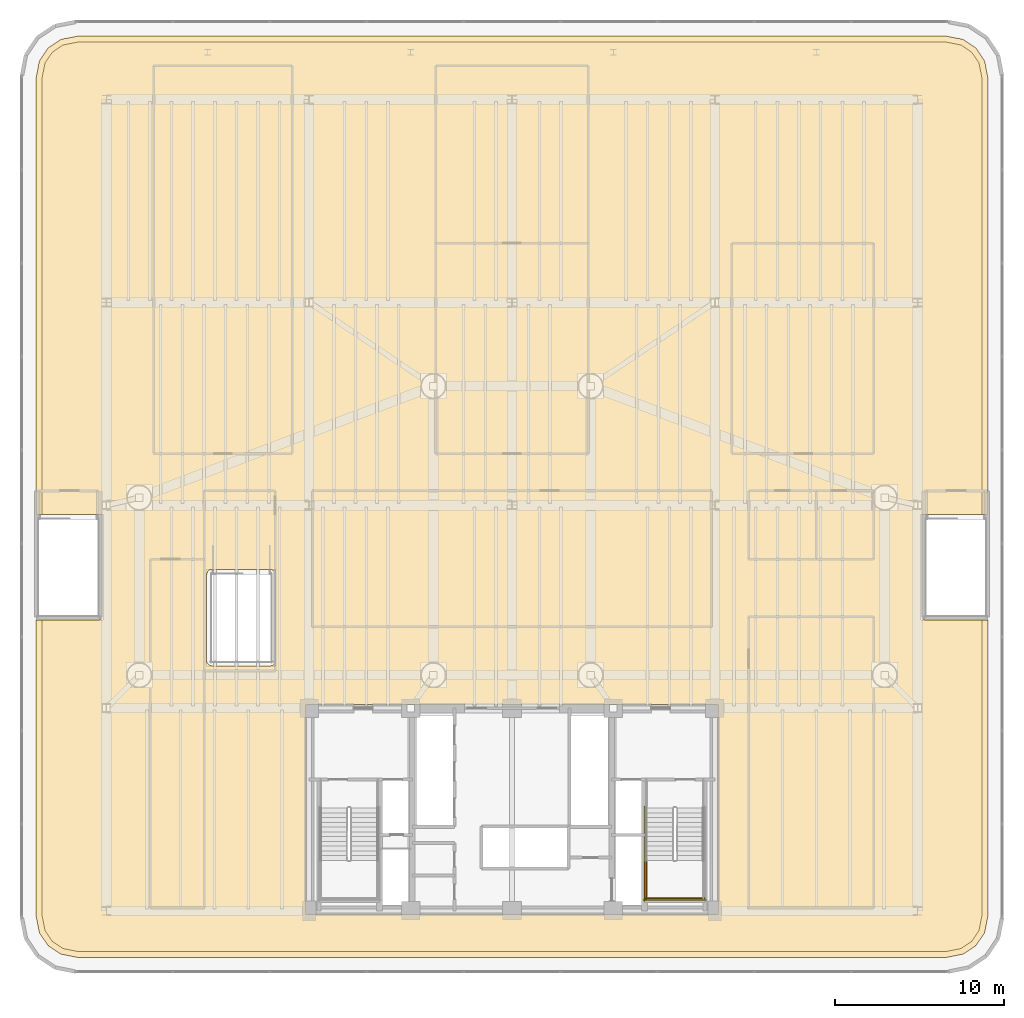
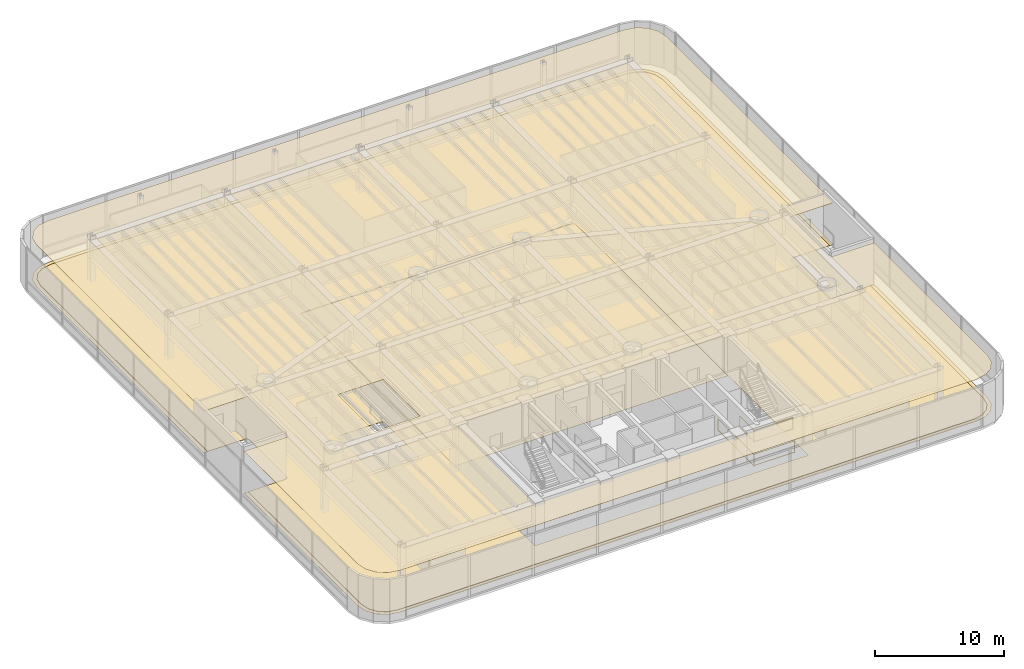
# One storey, part 17 of 18: 4 railings, 3 coverings.
"""IFC4 building model written with IfcOpenShell, lengths in metres."""

from ifc_helpers import new_model, si_unit, direction, frame, origin, origin_2d, place, context, subcontext, project, spatial, polyline, rectangle, outline, extrude, material, layer, layer_set, type_object, element, save


model = new_model("IFC4")

# Units and contexts
model_context = context("Model", 3, precision=1e-05, world=origin(), true_north=direction((0.0, 1.0)))
body_context = subcontext(model_context, "Body", "Model", "MODEL_VIEW")
ifc_project = project(units=[si_unit("LENGTHUNIT", "METRE"), si_unit("AREAUNIT", "SQUARE_METRE"), si_unit("VOLUMEUNIT", "CUBIC_METRE"), si_unit("PLANEANGLEUNIT", "RADIAN"), si_unit("MASSUNIT", "GRAM", prefix="KILO")], contexts=[model_context])

# Site, building, storey
site_placement = place(None, origin())
site = spatial("IfcSite", under=ifc_project, at=site_placement, CompositionType="ELEMENT")
building_placement = place(site_placement, origin())
building = spatial("IfcBuilding", under=site, at=building_placement, Name="Brelvock Crest Care Tower", CompositionType="ELEMENT")
storey_placement = place(building_placement, frame((0.0, 0.0, 22.679931640625)))
storey = spatial("IfcBuildingStorey", under=building, at=storey_placement, Name="L05", CompositionType="ELEMENT", Elevation=22.679931640625)

# Coverings
ifc_material_1 = material(Name="Mineral Fibre Acoustic Ceiling Tile", Category="gypsum")
ifc_layer_1 = layer(ifc_material_1, 0.02490234375, Name="COV-CLG1")
ifc_layer_set_1 = layer_set([ifc_layer_1], Name="Mineral Fibre Acoustic Ceiling Tile")
covering_type_1 = type_object("IfcCoveringType", Name="COV-CLG1", PredefinedType="CEILING", material=ifc_layer_set_1)
covering_1_placement = place(storey_placement, frame((0.0, 0.0, 3.945068359375)))
element("IfcCovering", 1, at=covering_1_placement, inside=storey, type_object=covering_type_1, Name="L05 Acoustic Suspended Ceiling 1", PredefinedType="CEILING", context=body_context, shape_type="SweptSolid", body=[
    extrude(outline(polyline([(61.71630859375, 3.25), (62.69287109375, 3.4443359375), (63.449951171875, 3.9501953125), (63.955810546875, 4.70703125), (64.14990234375, 5.68359375), (64.14990234375, 23.199951171875), (60.2099609375, 23.199951171875), (60.2099609375, 29.449951171875), (64.14990234375, 29.449951171875), (64.14990234375, 55.31640625), (63.955810546875, 56.29296875), (63.449951171875, 57.0498046875), (62.69287109375, 57.5556640625), (61.71630859375, 57.75), (10.28369140625, 57.75), (9.30712890625, 57.5556640625), (8.550048828125, 57.0498046875), (8.044189453125, 56.29296875), (7.85009765625, 55.31640625), (7.85009765625, 29.449951171875), (11.7900390625, 29.449951171875), (11.7900390625, 23.199951171875), (7.85009765625, 23.199951171875), (7.85009765625, 5.68359375), (8.044189453125, 4.70703125), (8.550048828125, 3.9501953125), (9.30712890625, 3.4443359375), (10.28369140625, 3.25), (61.71630859375, 3.25)]), holes=[polyline([(22.02001953125, 20.5), (22.02001953125, 26.199951171875), (17.93994140625, 26.199951171875), (17.93994140625, 20.5), (22.02001953125, 20.5)]), polyline([(48.199951171875, 5.800048828125), (48.199951171875, 18.199951171875), (23.800048828125, 18.199951171875), (23.800048828125, 5.800048828125), (48.199951171875, 5.800048828125)])]), origin(), (0.0, 0.0, 1.0), 0.02490234375),
])
ifc_material_2 = material(Name="Slip-Resistant Acoustic Vinyl Flooring", Category="finish")
ifc_layer_2 = layer(ifc_material_2, 0.014892578125, Name="COV-FLR1")
ifc_layer_set_2 = layer_set([ifc_layer_2], Name="Slip-Resistant Acoustic Vinyl Flooring")
covering_type_2 = type_object("IfcCoveringType", Name="COV-FLR1", PredefinedType="FLOORING", material=ifc_layer_set_2)
covering_2_placement = place(storey_placement, origin())
element("IfcCovering", 2, at=covering_2_placement, inside=storey, type_object=covering_type_2, Name="L05 Slip-Resistant Acoustic Flooring 1", PredefinedType="FLOORING", context=body_context, shape_type="SweptSolid", body=[
    extrude(outline(polyline([(61.71630859375, 3.25), (62.69287109375, 3.4443359375), (63.449951171875, 3.9501953125), (63.955810546875, 4.70703125), (64.14990234375, 5.68359375), (64.14990234375, 23.199951171875), (60.2099609375, 23.199951171875), (60.2099609375, 29.449951171875), (64.14990234375, 29.449951171875), (64.14990234375, 55.31640625), (63.955810546875, 56.29296875), (63.449951171875, 57.0498046875), (62.69287109375, 57.5556640625), (61.71630859375, 57.75), (10.28369140625, 57.75), (9.30712890625, 57.5556640625), (8.550048828125, 57.0498046875), (8.044189453125, 56.29296875), (7.85009765625, 55.31640625), (7.85009765625, 29.449951171875), (11.7900390625, 29.449951171875), (11.7900390625, 23.199951171875), (7.85009765625, 23.199951171875), (7.85009765625, 5.68359375), (8.044189453125, 4.70703125), (8.550048828125, 3.9501953125), (9.30712890625, 3.4443359375), (10.28369140625, 3.25), (61.71630859375, 3.25)]), holes=[polyline([(22.02001953125, 20.5), (22.02001953125, 26.199951171875), (17.93994140625, 26.199951171875), (17.93994140625, 20.5), (22.02001953125, 20.5)]), polyline([(48.199951171875, 5.800048828125), (48.199951171875, 18.199951171875), (23.800048828125, 18.199951171875), (23.800048828125, 5.800048828125), (48.199951171875, 5.800048828125)])]), origin(), (0.0, 0.0, 1.0), 0.01513671875),
])
ifc_material_3 = material(Name="Elastomeric Waterproofing Membrane", Category="membrane")
ifc_layer_3 = layer(ifc_material_3, 0.011962890625, Name="COV-RFM1")
ifc_layer_set_3 = layer_set([ifc_layer_3], Name="Elastomeric Waterproofing Membrane")
covering_type_3 = type_object("IfcCoveringType", Name="COV-RFM1", PredefinedType="MEMBRANE", material=ifc_layer_set_3)
covering_3_placement = place(storey_placement, frame((0.0, 0.0, 0.01611328125)))
element("IfcCovering", 3, at=covering_3_placement, inside=storey, type_object=covering_type_3, Name="L05 Waterproofing Membrane 1", PredefinedType="MEMBRANE", context=body_context, shape_type="SweptSolid", body=[
    extrude(outline(polyline([(61.681884765625, 3.60009765625), (62.556396484375, 3.77392578125), (63.197509765625, 4.202392578125), (63.6259765625, 4.843505859375), (63.800048828125, 5.71826171875), (63.800048828125, 23.199951171875), (60.480712890625, 23.201416015625), (60.36865234375, 23.2353515625), (60.278076171875, 23.309814453125), (60.2099609375, 23.5), (60.2099609375, 29.14990234375), (60.260498046875, 29.316650390625), (60.36865234375, 29.41455078125), (60.510009765625, 29.449951171875), (63.800048828125, 29.449951171875), (63.800048828125, 55.28173828125), (63.6259765625, 56.156494140625), (63.197509765625, 56.797607421875), (62.556396484375, 57.22607421875), (61.681884765625, 57.39990234375), (10.318115234375, 57.39990234375), (9.443603515625, 57.22607421875), (8.802490234375, 56.797607421875), (8.3740234375, 56.156494140625), (8.199951171875, 55.28173828125), (8.199951171875, 29.449951171875), (11.519287109375, 29.448486328125), (11.63134765625, 29.41455078125), (11.721923828125, 29.34033203125), (11.7900390625, 29.14990234375), (11.7900390625, 23.5), (11.739501953125, 23.333251953125), (11.63134765625, 23.2353515625), (11.489990234375, 23.199951171875), (8.199951171875, 23.199951171875), (8.199951171875, 5.71826171875), (8.3740234375, 4.843505859375), (8.802490234375, 4.202392578125), (9.443603515625, 3.77392578125), (10.318115234375, 3.60009765625), (61.681884765625, 3.60009765625)]), holes=[polyline([(21.778564453125, 26.194091796875), (18.239990234375, 26.199951171875), (18.0986328125, 26.16455078125), (17.990478515625, 26.066650390625), (17.93994140625, 25.89990234375), (17.93994140625, 20.800048828125), (17.975341796875, 20.65869140625), (18.0732421875, 20.550537109375), (18.239990234375, 20.5), (21.719970703125, 20.5), (21.861328125, 20.535400390625), (21.969482421875, 20.63330078125), (22.02001953125, 20.800048828125), (22.02001953125, 25.89990234375), (21.951904296875, 26.09033203125), (21.778564453125, 26.194091796875)]), polyline([(48.199951171875, 5.800048828125), (48.199951171875, 42.0), (23.800048828125, 42.0), (23.800048828125, 5.800048828125), (48.199951171875, 5.800048828125)])]), origin(), (0.0, 0.0, 1.0), 0.011962890625),
])

# Railings
ifc_material_4 = material(Name="Steel Grade 350", Category="steel")
ifc_layer_4 = layer(ifc_material_4, 0.050048828125, Name="RL-STG1")
ifc_layer_set_4 = layer_set([ifc_layer_4], Name="Steel Grade 350")
railing_type = type_object("IfcRailingType", Name="RL-STG1", PredefinedType="GUARDRAIL", material=ifc_layer_set_4)
railing_1_placement = place(storey_placement, frame((43.93994140625, 9.0, 2.16015625)))
element("IfcRailing", 4, at=railing_1_placement, inside=storey, type_object=railing_type, Name="L05 ST-2 stair guard 3", PredefinedType="GUARDRAIL", context=body_context, shape_type="SweptSolid", body=[
    extrude(rectangle(XDim=0.048095703125, YDim=0.048095703125, at=origin_2d()), frame((0.0, -0.001953125, 1.11572265625), z_axis=(0.0, -1.0, 0.0), x_axis=(1.0, 0.0, 0.0)), (0.0, 0.0, 1.0), 2.296142578125),
    extrude(rectangle(XDim=0.048095703125, YDim=0.048095703125, at=origin_2d()), frame((0.0, -0.001953125, 0.054931640625), z_axis=(0.0, -1.0, 0.0), x_axis=(1.0, 0.0, 0.0)), (0.0, 0.0, 1.0), 2.296142578125),
    extrude(rectangle(XDim=0.0419921875, YDim=0.0419921875, at=origin_2d()), origin(), (0.0, 0.0, 1.0), 1.08984375),
    extrude(rectangle(XDim=0.0419921875, YDim=0.0419921875, at=origin_2d()), frame((0.0, -2.300048828125, 0.0)), (0.0, 0.0, 1.0), 1.08984375),
])
railing_2_placement = place(storey_placement, frame((43.889892578125, 6.75, 2.16015625)))
element("IfcRailing", 5, at=railing_2_placement, inside=storey, type_object=railing_type, Name="L05 ST-2 stair guard 5", PredefinedType="GUARDRAIL", context=body_context, shape_type="SweptSolid", body=[
    extrude(rectangle(XDim=0.048095703125, YDim=0.048095703125, at=origin_2d()), frame((0.001953125, 0.0, 1.11572265625), z_axis=(1.0, 0.0, 0.0), x_axis=(0.0, 1.0, 0.0)), (0.0, 0.0, 1.0), 3.476318359375),
    extrude(rectangle(XDim=0.048095703125, YDim=0.048095703125, at=origin_2d()), frame((0.001953125, 0.0, 0.054931640625), z_axis=(1.0, 0.0, 0.0), x_axis=(0.0, 1.0, 0.0)), (0.0, 0.0, 1.0), 3.476318359375),
    extrude(rectangle(XDim=0.0419921875, YDim=0.0419921875, at=origin_2d()), origin(), (0.0, 0.0, 1.0), 1.08984375),
    extrude(rectangle(XDim=0.0419921875, YDim=0.0419921875, at=origin_2d()), frame((3.480224609375, 0.0, 0.0)), (0.0, 0.0, 1.0), 1.08984375),
])
railing_3_placement = place(storey_placement, frame((43.840087890625, 12.179931640625, 0.0)))
element("IfcRailing", 6, at=railing_3_placement, inside=storey, type_object=railing_type, Name="L05 ST-2 stair guard 10", PredefinedType="GUARDRAIL", context=body_context, shape_type="SweptSolid", body=[
    extrude(rectangle(XDim=0.048095703125, YDim=0.048095703125, at=origin_2d()), frame((0.0, -0.001953125, 1.11572265625), z_axis=(0.0, -1.0, 0.0), x_axis=(1.0, 0.0, 0.0)), (0.0, 0.0, 1.0), 5.575927734375),
    extrude(rectangle(XDim=0.048095703125, YDim=0.048095703125, at=origin_2d()), frame((0.0, -0.001953125, 0.054931640625), z_axis=(0.0, -1.0, 0.0), x_axis=(1.0, 0.0, 0.0)), (0.0, 0.0, 1.0), 5.575927734375),
    extrude(rectangle(XDim=0.0419921875, YDim=0.0419921875, at=origin_2d()), origin(), (0.0, 0.0, 1.0), 1.08984375),
    extrude(rectangle(XDim=0.0419921875, YDim=0.0419921875, at=origin_2d()), frame((0.0, -2.7900390625, 0.0)), (0.0, 0.0, 1.0), 1.08984375),
    extrude(rectangle(XDim=0.0419921875, YDim=0.0419921875, at=origin_2d()), frame((0.0, -5.579833984375, 0.0)), (0.0, 0.0, 1.0), 1.08984375),
])
railing_4_placement = place(storey_placement, frame((43.7900390625, 6.64990234375, 0.0)))
element("IfcRailing", 7, at=railing_4_placement, inside=storey, type_object=railing_type, Name="L05 ST-2 stair guard 12", PredefinedType="GUARDRAIL", context=body_context, shape_type="SweptSolid", body=[
    extrude(rectangle(XDim=0.048095703125, YDim=0.048095703125, at=origin_2d()), frame((0.001953125, 0.0, 1.11572265625), z_axis=(1.0, 0.0, 0.0), x_axis=(0.0, 1.0, 0.0)), (0.0, 0.0, 1.0), 3.676025390625),
    extrude(rectangle(XDim=0.048095703125, YDim=0.048095703125, at=origin_2d()), frame((0.001953125, 0.0, 0.054931640625), z_axis=(1.0, 0.0, 0.0), x_axis=(0.0, 1.0, 0.0)), (0.0, 0.0, 1.0), 3.676025390625),
    extrude(rectangle(XDim=0.0419921875, YDim=0.0419921875, at=origin_2d()), origin(), (0.0, 0.0, 1.0), 1.08984375),
    extrude(rectangle(XDim=0.0419921875, YDim=0.0419921875, at=origin_2d()), frame((3.679931640625, 0.0, 0.0)), (0.0, 0.0, 1.0), 1.08984375),
])

save(model, "model.ifc")
